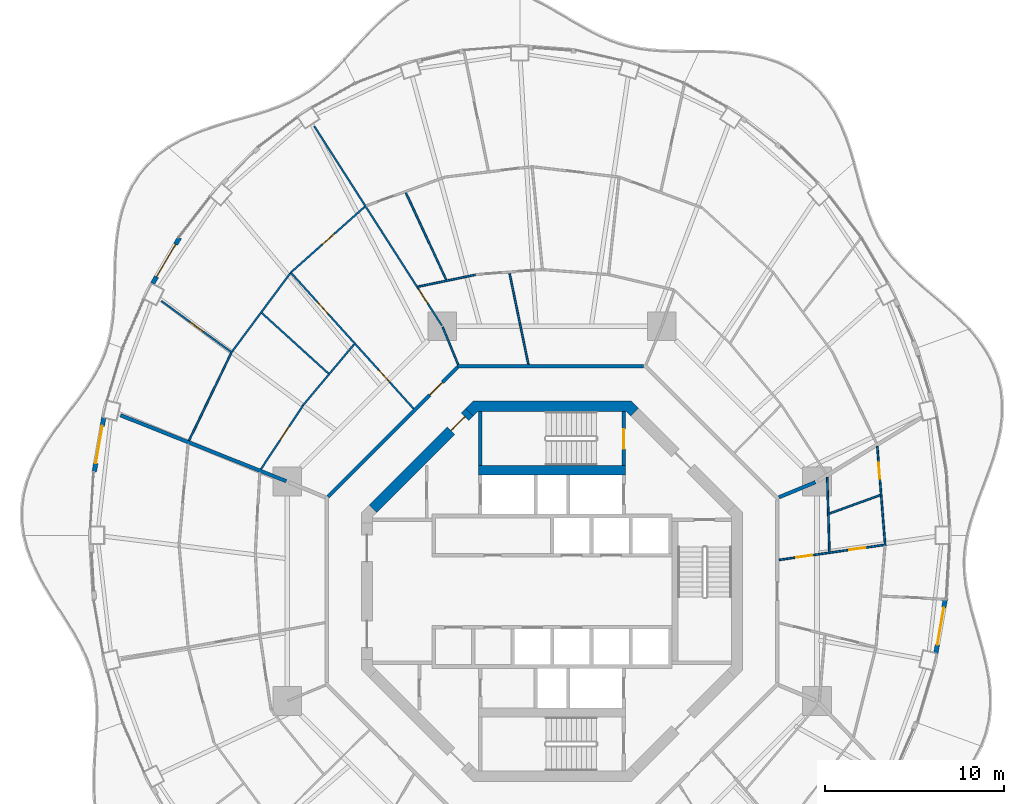
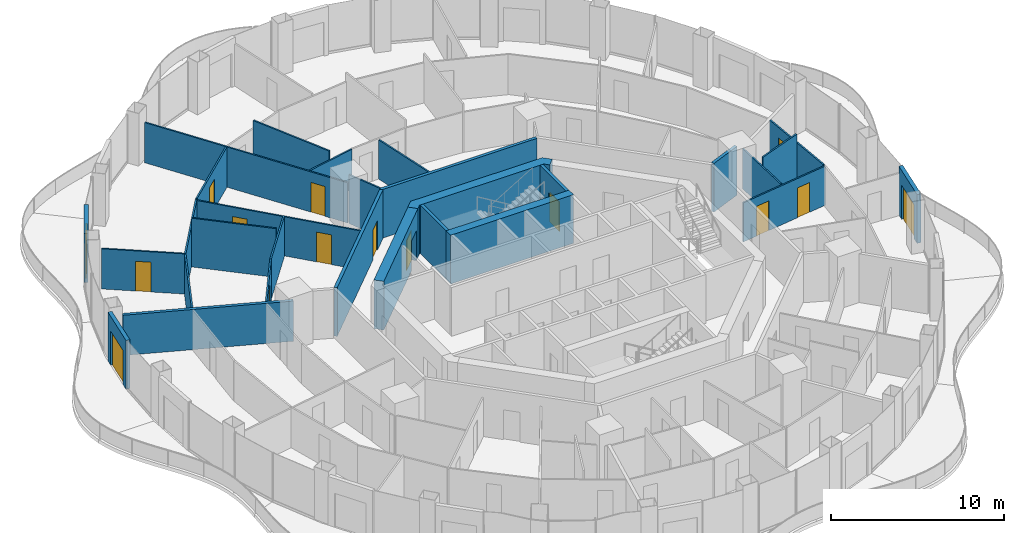
# One storey, part 13 of 18: 29 walls, 15 doors, 15 openings.
"""IFC4 building model written with IfcOpenShell, lengths in metres."""

from ifc_helpers import new_model, si_unit, direction, frame, frame_2d, origin, place, context, subcontext, project, spatial, polyline, rectangle, outline, extrude, material, layer, layer_set, type_object, element, fill, save


model = new_model("IFC4")

# Units and contexts
model_context = context("Model", 3, precision=1e-05, world=origin(), true_north=direction((0.0, 1.0)))
body_context = subcontext(model_context, "Body", "Model", "MODEL_VIEW")
ifc_project = project(units=[si_unit("LENGTHUNIT", "METRE"), si_unit("AREAUNIT", "SQUARE_METRE"), si_unit("VOLUMEUNIT", "CUBIC_METRE"), si_unit("PLANEANGLEUNIT", "RADIAN"), si_unit("MASSUNIT", "GRAM", prefix="KILO")], contexts=[model_context])

# Site, building, storey
site_placement = place(None, origin())
site = spatial("IfcSite", under=ifc_project, at=site_placement, CompositionType="ELEMENT")
building_placement = place(site_placement, origin())
building = spatial("IfcBuilding", under=site, at=building_placement, Name="Nagisa Residences", CompositionType="ELEMENT")
storey_placement = place(building_placement, frame((0.0, 0.0, 230.699951171875)))
storey = spatial("IfcBuildingStorey", under=building, at=storey_placement, Name="L58", CompositionType="ELEMENT", Elevation=230.699951171875)

# Walls
ifc_material_1 = material(Name="Gypsum board on steel studs", Category="steel")
ifc_layer_1 = layer(ifc_material_1, 0.199951171875)
ifc_layer_set_1 = layer_set([ifc_layer_1], Name="Apartment compartment wall EI60 200")
wall_type_1 = type_object("IfcWallType", Name="Apartment compartment wall EI60 200", PredefinedType="PARTITIONING", material=ifc_layer_set_1)
wall_1_placement = place(storey_placement, frame((12.6572265625, 5.24267578125, 0.0), z_axis=(0.0, 0.0, 1.0), x_axis=(0.92383017907, 0.382802560388, 0.0)))
element("IfcWall", 1, at=wall_1_placement, inside=storey, type_object=wall_type_1, Name="wall:L58:u00", PredefinedType="PARTITIONING", context=body_context, shape_type="SweptSolid", body=[
    extrude(rectangle(XDim=2.2001953125, YDim=0.199951171875, at=frame_2d((1.10009765625, 0.0))), origin(), (0.0, 0.0, 1.0), 3.43994140625),
])
wall_2_placement = place(storey_placement, frame((-14.82861328125, 6.141357421875, 0.0), z_axis=(0.0, 0.0, 1.0), x_axis=(-0.929202069098, 0.36957206981, 0.0)))
element("IfcWall", 2, at=wall_2_placement, inside=storey, type_object=wall_type_1, Name="wall:L58:u03", PredefinedType="PARTITIONING", context=body_context, shape_type="SweptSolid", body=[
    extrude(rectangle(XDim=9.95654296875, YDim=0.199951171875, at=frame_2d((4.978271484375, 0.0))), origin(), (0.0, 0.0, 1.0), 2.837158203125),
])
ifc_material_2 = material(Name="Gypsum board on steel studs", Category="steel")
ifc_layer_2 = layer(ifc_material_2, 0.199951171875)
ifc_layer_set_2 = layer_set([ifc_layer_2], Name="Apartment entry wall EI60 200")
wall_type_2 = type_object("IfcWallType", Name="Apartment entry wall EI60 200", PredefinedType="PARTITIONING", material=ifc_layer_set_2)
wall_3_placement = place(storey_placement, frame((5.1044921875, 12.564697265625, 0.0), z_axis=(0.0, 0.0, 1.0), x_axis=(-1.0, 0.0, 0.0)))
element("IfcWall", 3, at=wall_3_placement, inside=storey, type_object=wall_type_2, Name="wall:L58:u12", PredefinedType="PARTITIONING", context=body_context, shape_type="SweptSolid", body=[
    extrude(rectangle(XDim=10.408935546875, YDim=0.199951171875, at=frame_2d((5.20458984375, 0.0))), origin(), (0.0, 0.0, 1.0), 3.43994140625),
])

# Wall, opening, door
wall_4_placement = place(storey_placement, frame((-5.275146484375, 12.494140625, 0.0), z_axis=(0.0, 0.0, 1.0), x_axis=(-0.707106781187, -0.707106781187, 0.0)))
wall_4 = element("IfcWall", 4, at=wall_4_placement, inside=storey, type_object=wall_type_2, Name="wall:L58:u13", PredefinedType="PARTITIONING", context=body_context, shape_type="SweptSolid", body=[
    extrude(rectangle(XDim=10.209228515625, YDim=0.199951171875, at=frame_2d((5.1044921875, 0.0))), origin(), (0.0, 0.0, 1.0), 3.43994140625),
])
opening_1_placement = place(wall_4_placement, frame((1.184814453125, 0.0, 0.0)))
opening_1 = element("IfcOpeningElement", 5, at=opening_1_placement, cuts=wall_4, Name="Opening L58-U37", PredefinedType="OPENING", context=body_context, shape_type="SweptSolid", body=[
    extrude(rectangle(XDim=1.0, YDim=2.10009765625, at=frame_2d((0.5, 1.050048828125))), frame((0.0, 0.10986328125, 0.0), z_axis=(0.0, -1.0, 0.0), x_axis=(1.0, 0.0, 0.0)), (0.0, 0.0, 1.0), 0.219970703125),
])
ifc_material_3 = material(Name="Timber fire door set", Category="wood")
door_type_1 = type_object("IfcDoorType", Name="Apartment entry door FD30S 1000x2100", OperationType="NOTDEFINED", PredefinedType="DOOR", material=ifc_material_3)
door_1_placement = place(opening_1_placement, frame((1.0, 0.0, 0.0), x_axis=(-1.0, 0.0, 0.0)))
door_1 = element("IfcDoor", 6, at=door_1_placement, inside=storey, type_object=door_type_1, Name="Entry door, Apartment 58E", OperationType="SINGLE_SWING_RIGHT", OverallHeight=2.10009765625, OverallWidth=1.0, PredefinedType="DOOR", context=body_context, shape_type="SweptSolid", body=[
    extrude(rectangle(XDim=1.0, YDim=2.10009765625, at=frame_2d((0.5, 1.050048828125))), frame((0.0, 0.02490234375, 0.0), z_axis=(0.0, -1.0, 0.0), x_axis=(1.0, 0.0, 0.0)), (0.0, 0.0, 1.0), 0.050048828125),
])
fill(opening_1, door_1)

# Wall, openings, doors
ifc_material_4 = material(Name="Gypsum board on steel studs", Category="steel")
ifc_layer_3 = layer(ifc_material_4, 0.10009765625)
ifc_layer_set_3 = layer_set([ifc_layer_3], Name="Apartment partition 100")
wall_type_3 = type_object("IfcWallType", Name="Apartment partition 100", PredefinedType="PARTITIONING", material=ifc_layer_set_3)
wall_5_placement = place(storey_placement, frame((12.663818359375, 1.7490234375, 0.0), z_axis=(0.0, 0.0, 1.0), x_axis=(0.990000460163, 0.141064130369, 0.0)))
wall_5 = element("IfcWall", 7, at=wall_5_placement, inside=storey, type_object=wall_type_3, Name="wall:L58:u18", PredefinedType="PARTITIONING", context=body_context, shape_type="SweptSolid", body=[
    extrude(rectangle(XDim=6.028076171875, YDim=0.10009765625, at=frame_2d((3.01416015625, 0.0))), origin(), (0.0, 0.0, 1.0), 2.761962890625),
])
opening_2_placement = place(wall_5_placement, frame((0.970458984375, 0.0, 0.0)))
opening_2 = element("IfcOpeningElement", 8, at=opening_2_placement, cuts=wall_5, Name="Opening L58-U31", PredefinedType="OPENING", context=body_context, shape_type="SweptSolid", body=[
    extrude(rectangle(XDim=0.89990234375, YDim=2.10009765625, at=frame_2d((0.449951171875, 1.050048828125))), frame((0.0, 0.06005859375, 0.0), z_axis=(0.0, -1.0, 0.0), x_axis=(1.0, 0.0, 0.0)), (0.0, 0.0, 1.0), 0.1201171875),
])
opening_3_placement = place(wall_5_placement, frame((3.95947265625, 0.0, 0.0)))
opening_3 = element("IfcOpeningElement", 9, at=opening_3_placement, cuts=wall_5, Name="Opening L58-U33", PredefinedType="OPENING", context=body_context, shape_type="SweptSolid", body=[
    extrude(rectangle(XDim=0.89990234375, YDim=2.10009765625, at=frame_2d((0.449951171875, 1.050048828125))), frame((0.0, 0.06005859375, 0.0), z_axis=(0.0, -1.0, 0.0), x_axis=(1.0, 0.0, 0.0)), (0.0, 0.0, 1.0), 0.1201171875),
])
ifc_material_5 = material(Name="Timber door set", Category="wood")
door_type_2 = type_object("IfcDoorType", Name="Apartment door 900x2100", OperationType="NOTDEFINED", PredefinedType="DOOR", material=ifc_material_5)
door_2_placement = place(opening_2_placement, origin())
door_2 = element("IfcDoor", 10, at=door_2_placement, inside=storey, type_object=door_type_2, Name="Door to family bathroom, Apartment 58D", OperationType="SINGLE_SWING_LEFT", OverallHeight=2.10009765625, OverallWidth=0.89990234375, PredefinedType="DOOR", context=body_context, shape_type="SweptSolid", body=[
    extrude(rectangle(XDim=0.89990234375, YDim=2.10009765625, at=frame_2d((0.449951171875, 1.050048828125))), frame((0.0, 0.02490234375, 0.0), z_axis=(0.0, -1.0, 0.0), x_axis=(1.0, 0.0, 0.0)), (0.0, 0.0, 1.0), 0.050048828125),
])
fill(opening_2, door_2)
door_3_placement = place(opening_3_placement, origin())
door_3 = element("IfcDoor", 11, at=door_3_placement, inside=storey, type_object=door_type_2, Name="Door to family bathroom, Apartment 58D", OperationType="SINGLE_SWING_LEFT", OverallHeight=2.10009765625, OverallWidth=0.89990234375, PredefinedType="DOOR", context=body_context, shape_type="SweptSolid", body=[
    extrude(rectangle(XDim=0.89990234375, YDim=2.10009765625, at=frame_2d((0.449951171875, 1.050048828125))), frame((0.0, 0.02490234375, 0.0), z_axis=(0.0, -1.0, 0.0), x_axis=(1.0, 0.0, 0.0)), (0.0, 0.0, 1.0), 0.050048828125),
])
fill(opening_3, door_3)

# Wall
wall_6_placement = place(storey_placement, frame((15.474853515625, 2.19970703125, 0.0), z_axis=(0.0, 0.0, 1.0), x_axis=(-0.029254623973, 0.999571991893, 0.0)))
element("IfcWall", 12, at=wall_6_placement, inside=storey, type_object=wall_type_3, Name="wall:L58:u19", PredefinedType="PARTITIONING", context=body_context, shape_type="SweptSolid", body=[
    extrude(rectangle(XDim=4.172607421875, YDim=0.10009765625, at=frame_2d((2.08642578125, 0.0))), origin(), (0.0, 0.0, 1.0), 2.837158203125),
])

# Wall, opening, door
wall_7_placement = place(storey_placement, frame((18.578125, 2.64208984375, 0.0), z_axis=(0.0, 0.0, 1.0), x_axis=(-0.079188322924, 0.996859673932, 0.0)))
wall_7 = element("IfcWall", 13, at=wall_7_placement, inside=storey, type_object=wall_type_3, Name="wall:L58:u20", PredefinedType="PARTITIONING", context=body_context, shape_type="SweptSolid", body=[
    extrude(rectangle(XDim=5.453857421875, YDim=0.10009765625, at=frame_2d((2.72705078125, 0.0))), origin(), (0.0, 0.0, 1.0), 2.837158203125),
])
opening_4_placement = place(wall_7_placement, frame((3.653076171875, 0.0, 0.0)))
opening_4 = element("IfcOpeningElement", 14, at=opening_4_placement, cuts=wall_7, Name="Opening L58-U36", PredefinedType="OPENING", context=body_context, shape_type="SweptSolid", body=[
    extrude(rectangle(XDim=0.89990234375, YDim=2.10009765625, at=frame_2d((0.449951171875, 1.050048828125))), frame((0.0, 0.06005859375, 0.0), z_axis=(0.0, -1.0, 0.0), x_axis=(1.0, 0.0, 0.0)), (0.0, 0.0, 1.0), 0.1201171875),
])
door_4_placement = place(opening_4_placement, origin())
door_4 = element("IfcDoor", 15, at=door_4_placement, inside=storey, type_object=door_type_2, Name="Door to en-suite bathroom, Apartment 58D", OperationType="SINGLE_SWING_RIGHT", OverallHeight=2.10009765625, OverallWidth=0.89990234375, PredefinedType="DOOR", context=body_context, shape_type="SweptSolid", body=[
    extrude(rectangle(XDim=0.89990234375, YDim=2.10009765625, at=frame_2d((0.449951171875, 1.050048828125))), frame((0.0, 0.02490234375, 0.0), z_axis=(0.0, -1.0, 0.0), x_axis=(1.0, 0.0, 0.0)), (0.0, 0.0, 1.0), 0.050048828125),
])
fill(opening_4, door_4)

# Walls
wall_8_placement = place(storey_placement, frame((15.4599609375, 4.327392578125, 0.0), z_axis=(0.0, 0.0, 1.0), x_axis=(0.939452643938, 0.342678755977, 0.0)))
element("IfcWall", 16, at=wall_8_placement, inside=storey, type_object=wall_type_3, Name="wall:L58:u22", PredefinedType="PARTITIONING", context=body_context, shape_type="SweptSolid", body=[
    extrude(rectangle(XDim=3.037109375, YDim=0.10009765625, at=frame_2d((1.5185546875, 0.0))), origin(), (0.0, 0.0, 1.0), 3.43994140625),
])
wall_9_placement = place(storey_placement, frame((-1.3212890625, 12.66259765625, 0.0), z_axis=(0.0, 0.0, 1.0), x_axis=(-0.202526486639, 0.979276785291, 0.0)))
element("IfcWall", 17, at=wall_9_placement, inside=storey, type_object=wall_type_3, Name="wall:L58:u43", PredefinedType="PARTITIONING", context=body_context, shape_type="SweptSolid", body=[
    extrude(rectangle(XDim=5.2041015625, YDim=0.10009765625, at=frame_2d((2.60205078125, 0.0))), origin(), (0.0, 0.0, 1.0), 2.761962890625),
])
wall_10_placement = place(storey_placement, frame((-4.279541015625, 17.657470703125, 0.0), z_axis=(0.0, 0.0, 1.0), x_axis=(-0.979205232861, -0.202872156637, 0.0)))
element("IfcWall", 18, at=wall_10_placement, inside=storey, type_object=wall_type_3, Name="wall:L58:u45", PredefinedType="PARTITIONING", context=body_context, shape_type="SweptSolid", body=[
    extrude(rectangle(XDim=3.27099609375, YDim=0.10009765625, at=frame_2d((1.635498046875, 0.0))), origin(), (0.0, 0.0, 1.0), 2.837158203125),
])
wall_11_placement = place(storey_placement, frame((-5.90185546875, 17.37109375, 0.0), z_axis=(0.0, 0.0, 1.0), x_axis=(-0.421124629357, 0.907002781996, 0.0)))
element("IfcWall", 19, at=wall_11_placement, inside=storey, type_object=wall_type_3, Name="wall:L58:u47", PredefinedType="PARTITIONING", context=body_context, shape_type="SweptSolid", body=[
    extrude(rectangle(XDim=5.384033203125, YDim=0.10009765625, at=frame_2d((2.69189453125, 0.0))), origin(), (0.0, 0.0, 1.0), 3.43994140625),
])
wall_12_placement = place(storey_placement, frame((-5.24267578125, 12.6572265625, 0.0), z_axis=(0.0, 0.0, 1.0), x_axis=(-0.382757529444, 0.923848837015, 0.0)))
element("IfcWall", 20, at=wall_12_placement, inside=storey, type_object=wall_type_3, Name="wall:L58:u48", PredefinedType="PARTITIONING", context=body_context, shape_type="SweptSolid", body=[
    extrude(rectangle(XDim=2.249755859375, YDim=0.10009765625, at=frame_2d((1.125, 0.0))), origin(), (0.0, 0.0, 1.0), 3.43994140625),
])

# Wall, opening, door
wall_13_placement = place(storey_placement, frame((-6.14990234375, 14.82421875, 0.0), z_axis=(0.0, 0.0, 1.0), x_axis=(-0.538870687577, 0.842388498301, 0.0)))
wall_13 = element("IfcWall", 21, at=wall_13_placement, inside=storey, type_object=wall_type_3, Name="wall:L58:u49", PredefinedType="PARTITIONING", context=body_context, shape_type="SweptSolid", body=[
    extrude(rectangle(XDim=13.212646484375, YDim=0.10009765625, at=frame_2d((6.6064453125, 0.0))), origin(), (0.0, 0.0, 1.0), 2.837158203125),
])
opening_5_placement = place(wall_13_placement, frame((1.4833984375, 0.0, 0.0)))
opening_5 = element("IfcOpeningElement", 22, at=opening_5_placement, cuts=wall_13, Name="Opening L58-U38", PredefinedType="OPENING", context=body_context, shape_type="SweptSolid", body=[
    extrude(rectangle(XDim=0.89990234375, YDim=2.10009765625, at=frame_2d((0.449951171875, 1.050048828125))), frame((0.0, 0.06005859375, 0.0), z_axis=(0.0, -1.0, 0.0), x_axis=(1.0, 0.0, 0.0)), (0.0, 0.0, 1.0), 0.1201171875),
])
door_5_placement = place(opening_5_placement, frame((0.89990234375, 0.0, 0.0), x_axis=(-1.0, 0.0, 0.0)))
door_5 = element("IfcDoor", 23, at=door_5_placement, inside=storey, type_object=door_type_2, Name="Door to laundry, Apartment 58E", OperationType="SINGLE_SWING_LEFT", OverallHeight=2.10009765625, OverallWidth=0.89990234375, PredefinedType="DOOR", context=body_context, shape_type="SweptSolid", body=[
    extrude(rectangle(XDim=0.89990234375, YDim=2.10009765625, at=frame_2d((0.449951171875, 1.050048828125))), frame((0.0, 0.02490234375, 0.0), z_axis=(0.0, -1.0, 0.0), x_axis=(1.0, 0.0, 0.0)), (0.0, 0.0, 1.0), 0.050048828125),
])
fill(opening_5, door_5)

wall_14_placement = place(storey_placement, frame((-10.450439453125, 21.455322265625, 0.0), z_axis=(0.0, 0.0, 1.0), x_axis=(-0.747150931973, -0.66465441009, 0.0)))
wall_14 = element("IfcWall", 24, at=wall_14_placement, inside=storey, type_object=wall_type_3, Name="wall:L58:u50", PredefinedType="PARTITIONING", context=body_context, shape_type="SweptSolid", body=[
    extrude(rectangle(XDim=5.474853515625, YDim=0.10009765625, at=frame_2d((2.7373046875, 0.0))), origin(), (0.0, 0.0, 1.0), 2.837158203125),
])
opening_6_placement = place(wall_14_placement, frame((2.28759765625, 0.0, 0.0)))
opening_6 = element("IfcOpeningElement", 25, at=opening_6_placement, cuts=wall_14, Name="Opening L58-U45", PredefinedType="OPENING", context=body_context, shape_type="SweptSolid", body=[
    extrude(rectangle(XDim=0.89990234375, YDim=2.10009765625, at=frame_2d((0.449951171875, 1.050048828125))), frame((0.0, 0.06005859375, 0.0), z_axis=(0.0, -1.0, 0.0), x_axis=(1.0, 0.0, 0.0)), (0.0, 0.0, 1.0), 0.1201171875),
])
door_6_placement = place(opening_6_placement, frame((0.89990234375, 0.0, 0.0), x_axis=(-1.0, 0.0, 0.0)))
door_6 = element("IfcDoor", 26, at=door_6_placement, inside=storey, type_object=door_type_2, Name="Door to family room, Apartment 58E", OperationType="SINGLE_SWING_RIGHT", OverallHeight=2.10009765625, OverallWidth=0.89990234375, PredefinedType="DOOR", context=body_context, shape_type="SweptSolid", body=[
    extrude(rectangle(XDim=0.89990234375, YDim=2.10009765625, at=frame_2d((0.449951171875, 1.050048828125))), frame((0.0, 0.02490234375, 0.0), z_axis=(0.0, -1.0, 0.0), x_axis=(1.0, 0.0, 0.0)), (0.0, 0.0, 1.0), 0.050048828125),
])
fill(opening_6, door_6)

# Wall, openings, doors
wall_15_placement = place(storey_placement, frame((-7.724853515625, 10.185546875, 0.0), z_axis=(0.0, 0.0, 1.0), x_axis=(-0.669819599194, 0.742523874725, 0.0)))
wall_15 = element("IfcWall", 27, at=wall_15_placement, inside=storey, type_object=wall_type_3, Name="wall:L58:u51", PredefinedType="PARTITIONING", context=body_context, shape_type="SweptSolid", body=[
    extrude(rectangle(XDim=10.2822265625, YDim=0.10009765625, at=frame_2d((5.14111328125, 0.0))), origin(), (0.0, 0.0, 1.0), 2.761962890625),
])
opening_7_placement = place(wall_15_placement, frame((1.999755859375, 0.0, 0.0)))
opening_7 = element("IfcOpeningElement", 28, at=opening_7_placement, cuts=wall_15, Name="Opening L58-U39", PredefinedType="OPENING", context=body_context, shape_type="SweptSolid", body=[
    extrude(rectangle(XDim=0.89990234375, YDim=2.10009765625, at=frame_2d((0.449951171875, 1.050048828125))), frame((0.0, 0.06005859375, 0.0), z_axis=(0.0, -1.0, 0.0), x_axis=(1.0, 0.0, 0.0)), (0.0, 0.0, 1.0), 0.1201171875),
])
opening_8_placement = place(wall_15_placement, frame((7.11572265625, 0.0, 0.0)))
opening_8 = element("IfcOpeningElement", 29, at=opening_8_placement, cuts=wall_15, Name="Opening L58-U41", PredefinedType="OPENING", context=body_context, shape_type="SweptSolid", body=[
    extrude(rectangle(XDim=0.89990234375, YDim=2.10009765625, at=frame_2d((0.449951171875, 1.050048828125))), frame((0.0, 0.06005859375, 0.0), z_axis=(0.0, -1.0, 0.0), x_axis=(1.0, 0.0, 0.0)), (0.0, 0.0, 1.0), 0.1201171875),
])
door_7_placement = place(opening_7_placement, origin())
door_7 = element("IfcDoor", 30, at=door_7_placement, inside=storey, type_object=door_type_2, Name="Door to laundry, Apartment 58E", OperationType="SINGLE_SWING_LEFT", OverallHeight=2.10009765625, OverallWidth=0.89990234375, PredefinedType="DOOR", context=body_context, shape_type="SweptSolid", body=[
    extrude(rectangle(XDim=0.89990234375, YDim=2.10009765625, at=frame_2d((0.449951171875, 1.050048828125))), frame((0.0, 0.02490234375, 0.0), z_axis=(0.0, -1.0, 0.0), x_axis=(1.0, 0.0, 0.0)), (0.0, 0.0, 1.0), 0.050048828125),
])
fill(opening_7, door_7)
door_8_placement = place(opening_8_placement, origin())
door_8 = element("IfcDoor", 31, at=door_8_placement, inside=storey, type_object=door_type_2, Name="Door to family bathroom, Apartment 58E", OperationType="SINGLE_SWING_LEFT", OverallHeight=2.10009765625, OverallWidth=0.89990234375, PredefinedType="DOOR", context=body_context, shape_type="SweptSolid", body=[
    extrude(rectangle(XDim=0.89990234375, YDim=2.10009765625, at=frame_2d((0.449951171875, 1.050048828125))), frame((0.0, 0.02490234375, 0.0), z_axis=(0.0, -1.0, 0.0), x_axis=(1.0, 0.0, 0.0)), (0.0, 0.0, 1.0), 0.050048828125),
])
fill(opening_8, door_8)

# Walls
wall_16_placement = place(storey_placement, frame((-11.03857421875, 13.78515625, 0.0), z_axis=(0.0, 0.0, 1.0), x_axis=(-0.642254625966, -0.766491353784, 0.0)))
element("IfcWall", 32, at=wall_16_placement, inside=storey, type_object=wall_type_3, Name="wall:L58:u52", PredefinedType="PARTITIONING", context=body_context, shape_type="SweptSolid", body=[
    extrude(rectangle(XDim=4.4609375, YDim=0.10009765625, at=frame_2d((2.23046875, 0.0))), origin(), (0.0, 0.0, 1.0), 2.837158203125),
])
wall_17_placement = place(storey_placement, frame((-14.608154296875, 17.7431640625, 0.0), z_axis=(0.0, 0.0, 1.0), x_axis=(-0.596174489482, -0.8028548923, 0.0)))
element("IfcWall", 33, at=wall_17_placement, inside=storey, type_object=wall_type_3, Name="wall:L58:u53", PredefinedType="PARTITIONING", context=body_context, shape_type="SweptSolid", body=[
    extrude(rectangle(XDim=5.44189453125, YDim=0.10009765625, at=frame_2d((2.720947265625, 0.0))), origin(), (0.0, 0.0, 1.0), 2.837158203125),
])
wall_18_placement = place(storey_placement, frame((-12.47607421875, 12.1474609375, 0.0), z_axis=(0.0, 0.0, 1.0), x_axis=(-0.740129203525, 0.672464692077, 0.0)))
element("IfcWall", 34, at=wall_18_placement, inside=storey, type_object=wall_type_3, Name="wall:L58:u54", PredefinedType="PARTITIONING", context=body_context, shape_type="SweptSolid", body=[
    extrude(rectangle(XDim=5.0224609375, YDim=0.10009765625, at=frame_2d((2.51123046875, 0.0))), origin(), (0.0, 0.0, 1.0), 3.43994140625),
])

# Wall, opening, door
wall_19_placement = place(storey_placement, frame((-13.899169921875, 10.362548828125, 0.0), z_axis=(0.0, 0.0, 1.0), x_axis=(-0.551267958114, -0.834328255758, 0.0)))
wall_19 = element("IfcWall", 35, at=wall_19_placement, inside=storey, type_object=wall_type_3, Name="wall:L58:u55", PredefinedType="PARTITIONING", context=body_context, shape_type="SweptSolid", body=[
    extrude(rectangle(XDim=4.25732421875, YDim=0.10009765625, at=frame_2d((2.128662109375, 0.0))), origin(), (0.0, 0.0, 1.0), 2.837158203125),
])
opening_9_placement = place(wall_19_placement, frame((1.4130859375, 0.0, 0.0)))
opening_9 = element("IfcOpeningElement", 36, at=opening_9_placement, cuts=wall_19, Name="Opening L58-U42", PredefinedType="OPENING", context=body_context, shape_type="SweptSolid", body=[
    extrude(rectangle(XDim=0.89990234375, YDim=2.10009765625, at=frame_2d((0.449951171875, 1.050048828125))), frame((0.0, 0.06005859375, 0.0), z_axis=(0.0, -1.0, 0.0), x_axis=(1.0, 0.0, 0.0)), (0.0, 0.0, 1.0), 0.1201171875),
])
door_9_placement = place(opening_9_placement, frame((0.89990234375, 0.0, 0.0), x_axis=(-1.0, 0.0, 0.0)))
door_9 = element("IfcDoor", 37, at=door_9_placement, inside=storey, type_object=door_type_2, Name="Door to kitchen, Apartment 58E", OperationType="SINGLE_SWING_LEFT", OverallHeight=2.10009765625, OverallWidth=0.89990234375, PredefinedType="DOOR", context=body_context, shape_type="SweptSolid", body=[
    extrude(rectangle(XDim=0.89990234375, YDim=2.10009765625, at=frame_2d((0.449951171875, 1.050048828125))), frame((0.0, 0.02490234375, 0.0), z_axis=(0.0, -1.0, 0.0), x_axis=(1.0, 0.0, 0.0)), (0.0, 0.0, 1.0), 0.050048828125),
])
fill(opening_9, door_9)

wall_20_placement = place(storey_placement, frame((-17.842041015625, 13.304443359375, 0.0), z_axis=(0.0, 0.0, 1.0), x_axis=(-0.807541617862, 0.589810592835, 0.0)))
wall_20 = element("IfcWall", 38, at=wall_20_placement, inside=storey, type_object=wall_type_3, Name="wall:L58:u56", PredefinedType="PARTITIONING", context=body_context, shape_type="SweptSolid", body=[
    extrude(rectangle(XDim=4.9033203125, YDim=0.10009765625, at=frame_2d((2.45166015625, 0.0))), origin(), (0.0, 0.0, 1.0), 2.837158203125),
])
opening_10_placement = place(wall_20_placement, frame((2.02685546875, 0.0, 0.0)))
opening_10 = element("IfcOpeningElement", 39, at=opening_10_placement, cuts=wall_20, Name="Opening L58-U46", PredefinedType="OPENING", context=body_context, shape_type="SweptSolid", body=[
    extrude(rectangle(XDim=0.89990234375, YDim=2.10009765625, at=frame_2d((0.449951171875, 1.050048828125))), frame((0.0, 0.06005859375, 0.0), z_axis=(0.0, -1.0, 0.0), x_axis=(1.0, 0.0, 0.0)), (0.0, 0.0, 1.0), 0.1201171875),
])
door_10_placement = place(opening_10_placement, origin())
door_10 = element("IfcDoor", 40, at=door_10_placement, inside=storey, type_object=door_type_2, Name="Door to master bedroom, Apartment 58E", OperationType="SINGLE_SWING_RIGHT", OverallHeight=2.10009765625, OverallWidth=0.89990234375, PredefinedType="DOOR", context=body_context, shape_type="SweptSolid", body=[
    extrude(rectangle(XDim=0.89990234375, YDim=2.10009765625, at=frame_2d((0.449951171875, 1.050048828125))), frame((0.0, 0.02490234375, 0.0), z_axis=(0.0, -1.0, 0.0), x_axis=(1.0, 0.0, 0.0)), (0.0, 0.0, 1.0), 0.050048828125),
])
fill(opening_10, door_10)

# Wall
wall_21_placement = place(storey_placement, frame((-17.904052734375, 13.288818359375, 0.0), z_axis=(0.0, 0.0, 1.0), x_axis=(-0.43429918566, -0.900768681369, 0.0)))
element("IfcWall", 41, at=wall_21_placement, inside=storey, type_object=wall_type_3, Name="wall:L58:u57", PredefinedType="PARTITIONING", context=body_context, shape_type="SweptSolid", body=[
    extrude(rectangle(XDim=5.41845703125, YDim=0.10009765625, at=frame_2d((2.709228515625, 0.0))), origin(), (0.0, 0.0, 1.0), 2.837158203125),
])

# Wall, opening, door
ifc_material_6 = material(Name="Precast concrete C40/50", Category="concrete")
ifc_layer_4 = layer(ifc_material_6, 0.25)
ifc_layer_set_4 = layer_set([ifc_layer_4], Name="BALCONY DOOR WALL 250")
wall_type_4 = type_object("IfcWallType", Name="BALCONY DOOR WALL 250", PredefinedType="SOLIDWALL", material=ifc_layer_set_4)
wall_22_placement = place(storey_placement, frame((-22.2841796875, 17.1806640625, 0.0), z_axis=(0.0, 0.0, 1.0), x_axis=(0.506330171469, 0.862339699573, 0.0)))
wall_22 = element("IfcWall", 42, at=wall_22_placement, inside=storey, type_object=wall_type_4, Name="wall:L58:bay19", PredefinedType="SOLIDWALL", context=body_context, shape_type="SweptSolid", body=[
    extrude(rectangle(XDim=2.954345703125, YDim=0.25, at=frame_2d((1.47705078125, 0.0))), origin(), (0.0, 0.0, 1.0), 3.43994140625),
])
opening_11_placement = place(wall_22_placement, frame((0.42724609375, 0.0, 0.0)))
opening_11 = element("IfcOpeningElement", 43, at=opening_11_placement, cuts=wall_22, Name="Opening BD-L58-07", PredefinedType="OPENING", context=body_context, shape_type="SweptSolid", body=[
    extrude(rectangle(XDim=2.10009765625, YDim=2.39990234375, at=frame_2d((1.050048828125, 1.199951171875))), frame((0.0, 0.135009765625, 0.0), z_axis=(0.0, -1.0, 0.0), x_axis=(1.0, 0.0, 0.0)), (0.0, 0.0, 1.0), 0.27001953125),
])
ifc_material_7 = material(Name="Aluminium and clear glass", Category="aluminium")
door_type_3 = type_object("IfcDoorType", Name="BALCONY SLIDING DOOR 2100x2400", OperationType="SLIDING_TO_LEFT", PredefinedType="DOOR", material=ifc_material_7)
door_11_placement = place(opening_11_placement, origin())
door_11 = element("IfcDoor", 44, at=door_11_placement, inside=storey, type_object=door_type_3, Name="door:L58:bay19", OperationType="SLIDING_TO_LEFT", OverallHeight=2.39990234375, OverallWidth=2.10009765625, PredefinedType="DOOR", context=body_context, shape_type="SweptSolid", body=[
    extrude(rectangle(XDim=2.10009765625, YDim=2.39990234375, at=frame_2d((1.050048828125, 1.199951171875))), frame((0.0, 0.02490234375, 0.0), z_axis=(0.0, -1.0, 0.0), x_axis=(1.0, 0.0, 0.0)), (0.0, 0.0, 1.0), 0.050048828125),
])
fill(opening_11, door_11)

wall_23_placement = place(storey_placement, frame((-25.541015625, 6.67138671875, 0.0), z_axis=(0.0, 0.0, 1.0), x_axis=(0.172254823677, 0.985052422828, 0.0)))
wall_23 = element("IfcWall", 45, at=wall_23_placement, inside=storey, type_object=wall_type_4, Name="wall:L58:bay22", PredefinedType="SOLIDWALL", context=body_context, shape_type="SweptSolid", body=[
    extrude(rectangle(XDim=3.067138671875, YDim=0.25, at=frame_2d((1.53369140625, 0.0))), origin(), (0.0, 0.0, 1.0), 3.43994140625),
])
opening_12_placement = place(wall_23_placement, frame((0.483642578125, 0.0, 0.0)))
opening_12 = element("IfcOpeningElement", 46, at=opening_12_placement, cuts=wall_23, Name="Opening BD-L58-08", PredefinedType="OPENING", context=body_context, shape_type="SweptSolid", body=[
    extrude(rectangle(XDim=2.10009765625, YDim=2.39990234375, at=frame_2d((1.050048828125, 1.199951171875))), frame((0.0, 0.135009765625, 0.0), z_axis=(0.0, -1.0, 0.0), x_axis=(1.0, 0.0, 0.0)), (0.0, 0.0, 1.0), 0.27001953125),
])
door_12_placement = place(opening_12_placement, origin())
door_12 = element("IfcDoor", 47, at=door_12_placement, inside=storey, type_object=door_type_3, Name="door:L58:bay22", OperationType="SLIDING_TO_LEFT", OverallHeight=2.39990234375, OverallWidth=2.10009765625, PredefinedType="DOOR", context=body_context, shape_type="SweptSolid", body=[
    extrude(rectangle(XDim=2.10009765625, YDim=2.39990234375, at=frame_2d((1.050048828125, 1.199951171875))), frame((0.0, 0.02490234375, 0.0), z_axis=(0.0, -1.0, 0.0), x_axis=(1.0, 0.0, 0.0)), (0.0, 0.0, 1.0), 0.050048828125),
])
fill(opening_12, door_12)

wall_24_placement = place(storey_placement, frame((21.94091796875, -0.435791015625, 0.0), z_axis=(0.0, 0.0, 1.0), x_axis=(-0.172164083933, -0.985068286061, 0.0)))
wall_24 = element("IfcWall", 48, at=wall_24_placement, inside=storey, type_object=wall_type_4, Name="wall:L58:bay46", PredefinedType="SOLIDWALL", context=body_context, shape_type="SweptSolid", body=[
    extrude(rectangle(XDim=3.0673828125, YDim=0.25, at=frame_2d((1.53369140625, 0.0))), origin(), (0.0, 0.0, 1.0), 3.43994140625),
])
opening_13_placement = place(wall_24_placement, frame((0.483642578125, 0.0, 0.0)))
opening_13 = element("IfcOpeningElement", 49, at=opening_13_placement, cuts=wall_24, Name="Opening BD-L58-16", PredefinedType="OPENING", context=body_context, shape_type="SweptSolid", body=[
    extrude(rectangle(XDim=2.10009765625, YDim=2.39990234375, at=frame_2d((1.050048828125, 1.199951171875))), frame((0.0, 0.135009765625, 0.0), z_axis=(0.0, -1.0, 0.0), x_axis=(1.0, 0.0, 0.0)), (0.0, 0.0, 1.0), 0.27001953125),
])
door_13_placement = place(opening_13_placement, origin())
door_13 = element("IfcDoor", 50, at=door_13_placement, inside=storey, type_object=door_type_3, Name="door:L58:bay46", OperationType="SLIDING_TO_LEFT", OverallHeight=2.39990234375, OverallWidth=2.10009765625, PredefinedType="DOOR", context=body_context, shape_type="SweptSolid", body=[
    extrude(rectangle(XDim=2.10009765625, YDim=2.39990234375, at=frame_2d((1.050048828125, 1.199951171875))), frame((0.0, 0.02490234375, 0.0), z_axis=(0.0, -1.0, 0.0), x_axis=(1.0, 0.0, 0.0)), (0.0, 0.0, 1.0), 0.050048828125),
])
fill(opening_13, door_13)

ifc_material_8 = material(Name="Concrete C60", Category="concrete")
ifc_layer_5 = layer(ifc_material_8, 0.60009765625)
ifc_layer_set_5 = layer_set([ifc_layer_5], Name="Core shear wall 600")
wall_type_5 = type_object("IfcWallType", Name="Core shear wall 600", PredefinedType="SHEAR", material=ifc_layer_set_5)
wall_25_placement = place(storey_placement, frame((-4.613037109375, 9.98828125, 0.0), z_axis=(0.0, 0.0, 1.0), x_axis=(-0.707106781187, -0.707106781187, 0.0)))
wall_25 = element("IfcWall", 51, at=wall_25_placement, inside=storey, type_object=wall_type_5, Name="wall:L58:core:flat3", PredefinedType="SHEAR", context=body_context, shape_type="SweptSolid", body=[
    extrude(rectangle(XDim=7.601806640625, YDim=0.60009765625, at=frame_2d((3.80078125, 0.0))), origin(), (0.0, 0.0, 1.0), 3.43994140625),
])
opening_14_placement = place(wall_25_placement, frame((0.350830078125, 0.0, 0.0)))
opening_14 = element("IfcOpeningElement", 52, at=opening_14_placement, cuts=wall_25, Name="Opening L58-C21", PredefinedType="OPENING", context=body_context, shape_type="SweptSolid", body=[
    extrude(rectangle(XDim=1.10009765625, YDim=2.10009765625, at=frame_2d((0.550048828125, 1.050048828125))), frame((0.0, 0.31005859375, 0.0), z_axis=(0.0, -1.0, 0.0), x_axis=(1.0, 0.0, 0.0)), (0.0, 0.0, 1.0), 0.6201171875),
])
ifc_material_9 = material(Name="Steel fire door", Category="steel")
door_type_4 = type_object("IfcDoorType", Name="Fire door EI60 1100x2100 single swing", OperationType="NOTDEFINED", PredefinedType="DOOR", material=ifc_material_9)
door_14_placement = place(opening_14_placement, origin())
door_14 = element("IfcDoor", 53, at=door_14_placement, inside=storey, type_object=door_type_4, Name="Service lobby door L58", OperationType="SINGLE_SWING_LEFT", OverallHeight=2.10009765625, OverallWidth=1.10009765625, PredefinedType="DOOR", context=body_context, shape_type="SweptSolid", body=[
    extrude(rectangle(XDim=1.10009765625, YDim=2.10009765625, at=frame_2d((0.550048828125, 1.050048828125))), frame((0.0, 0.02490234375, 0.0), z_axis=(0.0, -1.0, 0.0), x_axis=(1.0, 0.0, 0.0)), (0.0, 0.0, 1.0), 0.050048828125),
])
fill(opening_14, door_14)

# Wall
wall_26_placement = place(storey_placement, origin())
element("IfcWall", 54, at=wall_26_placement, inside=storey, type_object=wall_type_5, Name="wall:L58:core:flat2", PredefinedType="SHEAR", context=body_context, shape_type="SweptSolid", body=[
    extrude(outline(polyline([(-4.15234375, 10.024658203125), (-4.40087890625, 9.776123046875), (-4.8251953125, 10.200439453125), (-4.40087890625, 10.62451171875), (4.40087890625, 10.62451171875), (4.8251953125, 10.200439453125), (4.40087890625, 9.776123046875), (4.15234375, 10.024658203125), (-4.15234375, 10.024658203125)])), origin(), (0.0, 0.0, 1.0), 3.43994140625),
])

# Wall, opening, door
ifc_material_10 = material(Name="Concrete C60", Category="concrete")
ifc_layer_6 = layer(ifc_material_10, 0.199951171875)
ifc_layer_set_6 = layer_set([ifc_layer_6], Name="Stair enclosure wall 200")
wall_type_6 = type_object("IfcWallType", Name="Stair enclosure wall 200", PredefinedType="SOLIDWALL", material=ifc_layer_set_6)
wall_27_placement = place(storey_placement, frame((4.0, 7.024658203125, 0.0), z_axis=(0.0, 0.0, 1.0), x_axis=(0.0, 1.0, 0.0)))
wall_27 = element("IfcWall", 55, at=wall_27_placement, inside=storey, type_object=wall_type_6, Name="wall:L58:SN_e", PredefinedType="SOLIDWALL", context=body_context, shape_type="SweptSolid", body=[
    extrude(rectangle(XDim=3.0, YDim=0.199951171875, at=frame_2d((1.5, 0.0))), origin(), (0.0, 0.0, 1.0), 3.43994140625),
])
opening_15_placement = place(wall_27_placement, frame((0.92529296875, 0.0, 0.0)))
opening_15 = element("IfcOpeningElement", 56, at=opening_15_placement, cuts=wall_27, Name="Opening L58-C09", PredefinedType="OPENING", context=body_context, shape_type="SweptSolid", body=[
    extrude(rectangle(XDim=1.10009765625, YDim=2.10009765625, at=frame_2d((0.550048828125, 1.050048828125))), frame((0.0, 0.10986328125, 0.0), z_axis=(0.0, -1.0, 0.0), x_axis=(1.0, 0.0, 0.0)), (0.0, 0.0, 1.0), 0.219970703125),
])
ifc_material_11 = material(Name="Steel fire door", Category="steel")
door_type_5 = type_object("IfcDoorType", Name="Fire door EI90 1100x2100 single swing", OperationType="NOTDEFINED", PredefinedType="DOOR", material=ifc_material_11)
door_15_placement = place(opening_15_placement, origin())
door_15 = element("IfcDoor", 57, at=door_15_placement, inside=storey, type_object=door_type_5, Name="Stair door ST-N L58", OperationType="SINGLE_SWING_LEFT", OverallHeight=2.10009765625, OverallWidth=1.10009765625, PredefinedType="DOOR", context=body_context, shape_type="SweptSolid", body=[
    extrude(rectangle(XDim=1.10009765625, YDim=2.10009765625, at=frame_2d((0.550048828125, 1.050048828125))), frame((0.0, 0.02490234375, 0.0), z_axis=(0.0, -1.0, 0.0), x_axis=(1.0, 0.0, 0.0)), (0.0, 0.0, 1.0), 0.050048828125),
])
fill(opening_15, door_15)

# Walls
wall_28_placement = place(storey_placement, origin())
element("IfcWall", 58, at=wall_28_placement, inside=storey, type_object=wall_type_6, Name="wall:L58:SN_w", PredefinedType="SOLIDWALL", context=body_context, shape_type="SweptSolid", body=[
    extrude(outline(polyline([(-3.89990234375, 7.024658203125), (-4.10009765625, 7.024658203125), (-4.10009765625, 10.024658203125), (-3.89990234375, 10.024658203125), (-3.89990234375, 7.024658203125)])), origin(), (0.0, 0.0, 1.0), 3.43994140625),
])
wall_29_placement = place(storey_placement, origin())
element("IfcWall", 59, at=wall_29_placement, inside=storey, type_object=wall_type_6, Name="wall:L58:SN_s", PredefinedType="SOLIDWALL", context=body_context, shape_type="SweptSolid", body=[
    extrude(outline(polyline([(4.10009765625, 6.5), (-4.10009765625, 6.5), (-4.10009765625, 7.024658203125), (4.10009765625, 7.024658203125), (4.10009765625, 6.5)])), origin(), (0.0, 0.0, 1.0), 3.43994140625),
])

save(model, "model.ifc")
